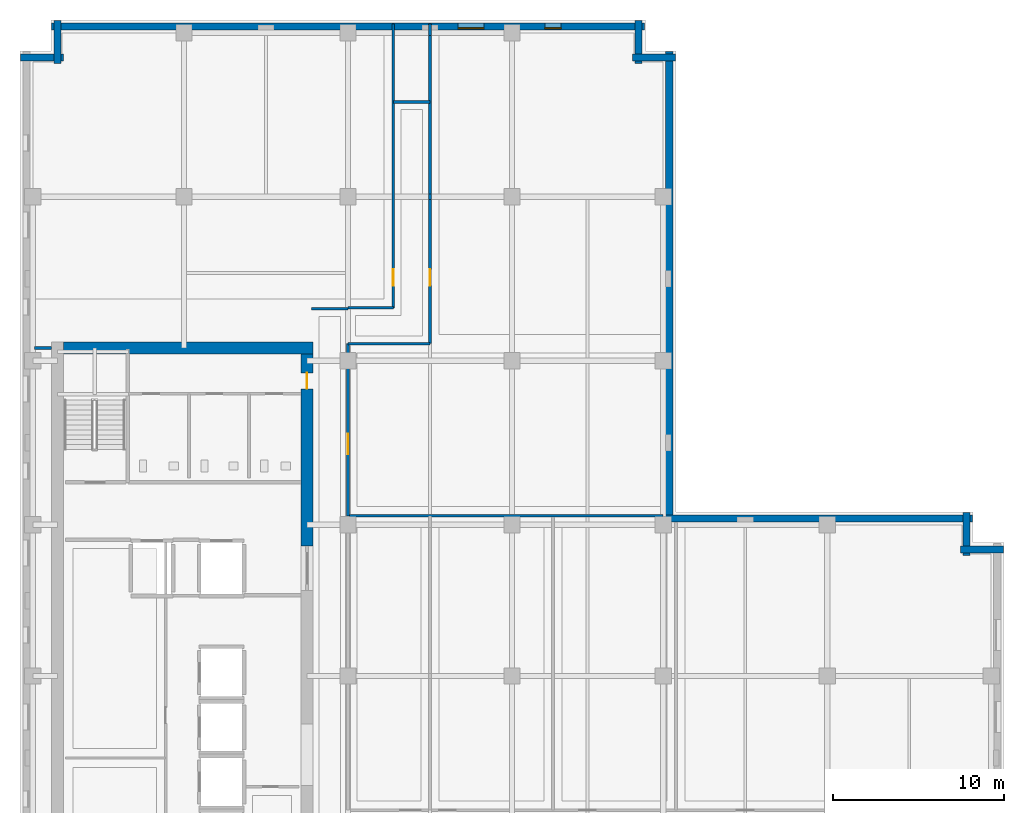
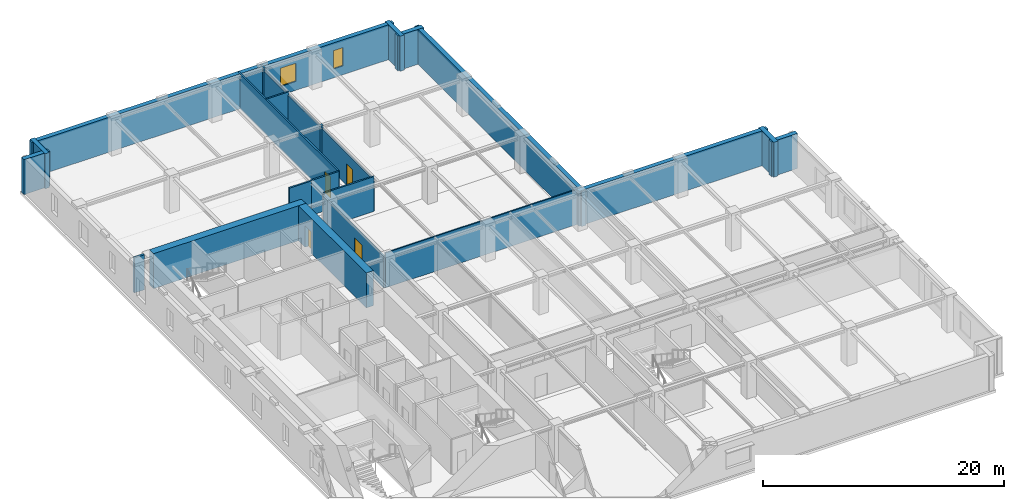
# One storey, part 7 of 13: 23 walls, 4 doors, 2 windows, 6 openings.
"""IFC4 building model written with IfcOpenShell, lengths in metres."""

from ifc_helpers import new_model, si_unit, direction, frame, frame_2d, origin, place, context, subcontext, project, spatial, rectangle, extrude, material, layer, layer_set, type_object, element, fill, save


model = new_model("IFC4")

# Units and contexts
model_context = context("Model", 3, precision=1e-05, world=origin(), true_north=direction((0.0, 1.0)))
body_context = subcontext(model_context, "Body", "Model", "MODEL_VIEW")
ifc_project = project(units=[si_unit("LENGTHUNIT", "METRE"), si_unit("AREAUNIT", "SQUARE_METRE"), si_unit("VOLUMEUNIT", "CUBIC_METRE"), si_unit("PLANEANGLEUNIT", "RADIAN"), si_unit("MASSUNIT", "GRAM", prefix="KILO")], contexts=[model_context])

# Site, building, storey
site_placement = place(None, origin())
site = spatial("IfcSite", under=ifc_project, at=site_placement, CompositionType="ELEMENT")
building_placement = place(site_placement, origin())
building = spatial("IfcBuilding", under=site, at=building_placement, Name="Norrvale University Quadrangle", CompositionType="ELEMENT")
storey_placement = place(building_placement, frame((0.0, 0.0, 175.0)))
storey = spatial("IfcBuildingStorey", under=building, at=storey_placement, Name="L44", CompositionType="ELEMENT", Elevation=175.0)

# Walls
ifc_material_1 = material(Name="Buff Norman Clay Brick Masonry", Category="masonry")
ifc_layer_1 = layer(ifc_material_1, 0.419921875, Name="Buff Norman Clay Brick Masonry")
ifc_layer_set_1 = layer_set([ifc_layer_1], Name="Buff Norman Clay Brick Masonry")
wall_type_1 = type_object("IfcWallType", Name="Wall Buff Brick 420", PredefinedType="SOLIDWALL", material=ifc_layer_set_1)
for number, where, z_axis, x_axis, name in (
    (1, (57.56005859375, 36.2099609375, 0.0), (0.0, 0.0, 1.0), (-1.0, 0.0, 0.0), "Exterior Brick Facade Wall L44-05.1"),
    (2, (55.409912109375, 35.860107421875, 0.0), (0.0, 0.0, 1.0), (0.0, 1.0, 0.0), "Exterior Brick Facade Wall L44-06.1"),
):
    element("IfcWall", number, at=place(storey_placement, frame(where, z_axis=z_axis, x_axis=x_axis)), inside=storey, type_object=wall_type_1, Name=name, PredefinedType="SOLIDWALL", context=body_context, shape_type="SweptSolid", body=[
        extrude(rectangle(XDim=2.5, YDim=0.419921875, at=frame_2d((1.25, 0.0))), origin(), (0.0, 0.0, 1.0), 3.5400390625),
    ])
wall_1_placement = place(storey_placement, frame((55.760009765625, 38.010009765625, 0.0), z_axis=(0.0, 0.0, 1.0), x_axis=(-1.0, 0.0, 0.0)))
element("IfcWall", 3, at=wall_1_placement, inside=storey, type_object=wall_type_1, Name="Exterior Brick Facade Wall L44-07.1", PredefinedType="SOLIDWALL", context=body_context, shape_type="SweptSolid", body=[
    extrude(rectangle(XDim=18.10009765625, YDim=0.419921875, at=frame_2d((9.050048828125, 0.0))), origin(), (0.0, 0.0, 1.0), 3.5400390625),
])
wall_2_placement = place(storey_placement, frame((38.010009765625, 37.659912109375, 0.0), z_axis=(0.0, 0.0, 1.0), x_axis=(0.0, 1.0, 0.0)))
element("IfcWall", 4, at=wall_2_placement, inside=storey, type_object=wall_type_1, Name="Exterior Brick Facade Wall L44-08.1", PredefinedType="SOLIDWALL", context=body_context, shape_type="SweptSolid", body=[
    extrude(rectangle(XDim=27.7001953125, YDim=0.419921875, at=frame_2d((13.85009765625, 0.0))), origin(), (0.0, 0.0, 1.0), 3.5400390625),
])
for number, where, z_axis, x_axis, name in (
    (5, (38.360107421875, 65.010009765625, 0.0), (0.0, 0.0, 1.0), (-1.0, 0.0, 0.0), "Exterior Brick Facade Wall L44-09.1"),
    (6, (36.2099609375, 64.659912109375, 0.0), (0.0, 0.0, 1.0), (0.0, 1.0, 0.0), "Exterior Brick Facade Wall L44-10.1"),
):
    element("IfcWall", number, at=place(storey_placement, frame(where, z_axis=z_axis, x_axis=x_axis)), inside=storey, type_object=wall_type_1, Name=name, PredefinedType="SOLIDWALL", context=body_context, shape_type="SweptSolid", body=[
        extrude(rectangle(XDim=2.5, YDim=0.419921875, at=frame_2d((1.25, 0.0))), origin(), (0.0, 0.0, 1.0), 3.5400390625),
    ])

# Wall, openings, windows
wall_3_placement = place(storey_placement, frame((36.56005859375, 66.81005859375, 0.0), z_axis=(0.0, 0.0, 1.0), x_axis=(-1.0, 0.0, 0.0)))
wall_3 = element("IfcWall", 7, at=wall_3_placement, inside=storey, type_object=wall_type_1, Name="Exterior Brick Facade Wall L44-11.1", PredefinedType="SOLIDWALL", context=body_context, shape_type="SweptSolid", body=[
    extrude(rectangle(XDim=34.719970703125, YDim=0.419921875, at=frame_2d((17.35986328125, 0.0))), origin(), (0.0, 0.0, 1.0), 3.5400390625),
])
opening_1_placement = place(wall_3_placement, frame((4.885009765625, 0.0, 0.89990234375)))
opening_1 = element("IfcOpeningElement", 8, at=opening_1_placement, cuts=wall_3, Name="Opening W04", PredefinedType="OPENING", context=body_context, shape_type="SweptSolid", body=[
    extrude(rectangle(XDim=0.949951171875, YDim=1.85009765625, at=frame_2d((0.47509765625, 0.925048828125))), frame((0.0, 0.221923828125, 0.0), z_axis=(0.0, -1.0, 0.0), x_axis=(1.0, 0.0, 0.0)), (0.0, 0.0, 1.0), 0.44384765625),
])
opening_2_placement = place(wall_3_placement, frame((9.409912109375, 0.0, 0.89990234375)))
opening_2 = element("IfcOpeningElement", 9, at=opening_2_placement, cuts=wall_3, Name="Opening W03", PredefinedType="OPENING", context=body_context, shape_type="SweptSolid", body=[
    extrude(rectangle(XDim=1.5, YDim=1.85009765625, at=frame_2d((0.75, 0.925048828125))), frame((0.0, 0.221923828125, 0.0), z_axis=(0.0, -1.0, 0.0), x_axis=(1.0, 0.0, 0.0)), (0.0, 0.0, 1.0), 0.44384765625),
])
ifc_material_2 = material(Name="Triple Low-E Argon Glazing", Category="glass")
window_type_1 = type_object("IfcWindowType", Name="Window Narrow Pier 950x2300", PartitioningType="SINGLE_PANEL", PredefinedType="WINDOW", material=ifc_material_2)
window_1_placement = place(opening_1_placement, origin())
window_1 = element("IfcWindow", 10, at=window_1_placement, inside=storey, type_object=window_type_1, Name="Window Narrow Pier 950x2300 WIN-L44-E11-1-01", OverallHeight=1.85009765625, OverallWidth=0.949951171875, PartitioningType="SINGLE_PANEL", PredefinedType="WINDOW", context=body_context, shape_type="SweptSolid", body=[
    extrude(rectangle(XDim=0.949951171875, YDim=1.85009765625, at=frame_2d((0.47509765625, 0.925048828125))), frame((0.0, 0.110107421875, 0.0), z_axis=(0.0, -1.0, 0.0), x_axis=(1.0, 0.0, 0.0)), (0.0, 0.0, 1.0), 0.06005859375),
])
fill(opening_1, window_1)
window_type_2 = type_object("IfcWindowType", Name="Window Studio 1500x2300", PartitioningType="DOUBLE_PANEL_VERTICAL", PredefinedType="WINDOW", material=ifc_material_2)
window_2_placement = place(opening_2_placement, origin())
window_2 = element("IfcWindow", 11, at=window_2_placement, inside=storey, type_object=window_type_2, Name="Window Studio 1500x2300 WIN-L44-E11-1-02", OverallHeight=1.85009765625, OverallWidth=1.5, PartitioningType="DOUBLE_PANEL_VERTICAL", PredefinedType="WINDOW", context=body_context, shape_type="SweptSolid", body=[
    extrude(rectangle(XDim=1.5, YDim=1.85009765625, at=frame_2d((0.75, 0.925048828125))), frame((0.0, 0.110107421875, 0.0), z_axis=(0.0, -1.0, 0.0), x_axis=(1.0, 0.0, 0.0)), (0.0, 0.0, 1.0), 0.06005859375),
])
fill(opening_2, window_2)

# Walls
for number, where, z_axis, x_axis, name in (
    (12, (2.18994140625, 67.159912109375, 0.0), (0.0, 0.0, 1.0), (0.0, -1.0, 0.0), "Exterior Brick Facade Wall L44-12.1"),
    (13, (2.5400390625, 65.010009765625, 0.0), (0.0, 0.0, 1.0), (-1.0, 0.0, 0.0), "Exterior Brick Facade Wall L44-13.1"),
):
    element("IfcWall", number, at=place(storey_placement, frame(where, z_axis=z_axis, x_axis=x_axis)), inside=storey, type_object=wall_type_1, Name=name, PredefinedType="SOLIDWALL", context=body_context, shape_type="SweptSolid", body=[
        extrude(rectangle(XDim=2.5, YDim=0.419921875, at=frame_2d((1.25, 0.0))), origin(), (0.0, 0.0, 1.0), 3.5400390625),
    ])
ifc_material_3 = material(Name="Concrete C60/75", Category="concrete")
ifc_layer_2 = layer(ifc_material_3, 0.699951171875, Name="Concrete C60/75")
ifc_layer_set_2 = layer_set([ifc_layer_2], Name="Concrete C60/75")
wall_type_2 = type_object("IfcWallType", Name="Wall Core 700", PredefinedType="SHEAR", material=ifc_layer_set_2)
wall_4_placement = place(storey_placement, frame((2.550048828125, 48.0, 0.0), z_axis=(0.0, 0.0, 1.0), x_axis=(1.0, 0.0, 0.0)))
element("IfcWall", 14, at=wall_4_placement, inside=storey, type_object=wall_type_2, Name="Tower Core Shear Wall L44-N", PredefinedType="SHEAR", context=body_context, shape_type="SweptSolid", body=[
    extrude(rectangle(XDim=14.599853515625, YDim=0.699951171875, at=frame_2d((7.2998046875, 0.0))), origin(), (0.0, 0.0, 1.0), 3.5400390625),
])

# Wall, opening, door
wall_5_placement = place(storey_placement, frame((16.800048828125, 36.39990234375, 0.0), z_axis=(0.0, 0.0, 1.0), x_axis=(0.0, 1.0, 0.0)))
wall_5 = element("IfcWall", 15, at=wall_5_placement, inside=storey, type_object=wall_type_2, Name="Tower Core Shear Wall L44-E3", PredefinedType="SHEAR", context=body_context, shape_type="SweptSolid", body=[
    extrude(rectangle(XDim=11.25, YDim=0.699951171875, at=frame_2d((5.625, 0.0))), origin(), (0.0, 0.0, 1.0), 3.5400390625),
])
opening_3_placement = place(wall_5_placement, frame((9.199951171875, 0.0, 0.0)))
opening_3 = element("IfcOpeningElement", 16, at=opening_3_placement, cuts=wall_5, Name="Opening D07", PredefinedType="OPENING", context=body_context, shape_type="SweptSolid", body=[
    extrude(rectangle(XDim=0.949951171875, YDim=2.14990234375, at=frame_2d((0.47509765625, 1.074951171875))), frame((0.0, 0.362060546875, 0.0), z_axis=(0.0, -1.0, 0.0), x_axis=(1.0, 0.0, 0.0)), (0.0, 0.0, 1.0), 0.723876953125),
])
ifc_material_4 = material(Name="Solid-Core Maple Door", Category="wood")
door_type_1 = type_object("IfcDoorType", Name="Door Office 950x2150", OperationType="NOTDEFINED", PredefinedType="DOOR", material=ifc_material_4)
door_1_placement = place(opening_3_placement, origin())
door_1 = element("IfcDoor", 17, at=door_1_placement, inside=storey, type_object=door_type_1, Name="Door Office 950x2150 DR-L44-NECORR", OperationType="SINGLE_SWING_LEFT", OverallHeight=2.14990234375, OverallWidth=0.949951171875, PredefinedType="DOOR", context=body_context, shape_type="SweptSolid", body=[
    extrude(rectangle(XDim=0.949951171875, YDim=2.14990234375, at=frame_2d((0.47509765625, 1.074951171875))), frame((0.0, 0.02490234375, 0.0), z_axis=(0.0, -1.0, 0.0), x_axis=(1.0, 0.0, 0.0)), (0.0, 0.0, 1.0), 0.050048828125),
])
fill(opening_3, door_1)

# Walls
ifc_material_5 = material(Name="Standard Academic Gypsum Partition")
ifc_layer_3 = layer(ifc_material_5, 0.125, Name="Standard Academic Gypsum Partition")
ifc_layer_set_3 = layer_set([ifc_layer_3], Name="Standard Academic Gypsum Partition")
wall_type_3 = type_object("IfcWallType", Name="Wall Gypsum Academic 125", PredefinedType="PARTITIONING", material=ifc_layer_set_3)
wall_6_placement = place(storey_placement, frame((19.280029296875, 38.179931640625, 0.0), z_axis=(0.0, 0.0, 1.0), x_axis=(1.0, 0.0, 0.0)))
element("IfcWall", 18, at=wall_6_placement, inside=storey, type_object=wall_type_3, Name="Interior Partition WL-L44-ME-N", PredefinedType="PARTITIONING", context=body_context, shape_type="SweptSolid", body=[
    extrude(rectangle(XDim=18.369873046875, YDim=0.125, at=frame_2d((9.18505859375, 0.0))), origin(), (0.0, 0.0, 1.0), 3.5400390625),
])
ifc_material_6 = material(Name="Fire-Rated Gypsum Stud Partition")
ifc_layer_4 = layer(ifc_material_6, 0.14990234375, Name="Fire-Rated Gypsum Stud Partition")
ifc_layer_set_4 = layer_set([ifc_layer_4], Name="Fire-Rated Gypsum Stud Partition")
wall_type_4 = type_object("IfcWallType", Name="Wall Gypsum Corridor 150", PredefinedType="PARTITIONING", material=ifc_layer_set_4)
wall_7_placement = place(storey_placement, frame((17.050048828125, 50.300048828125, 0.0), z_axis=(0.0, 0.0, 1.0), x_axis=(1.0, 0.0, 0.0)))
element("IfcWall", 19, at=wall_7_placement, inside=storey, type_object=wall_type_4, Name="Interior Partition WL-L44-CSP-N", PredefinedType="PARTITIONING", context=body_context, shape_type="SweptSolid", body=[
    extrude(rectangle(XDim=2.14990234375, YDim=0.14990234375, at=frame_2d((1.074951171875, 0.0))), origin(), (0.0, 0.0, 1.0), 3.5400390625),
])

# Wall, opening, door
wall_8_placement = place(storey_placement, frame((19.199951171875, 38.179931640625, 0.0), z_axis=(0.0, 0.0, 1.0), x_axis=(0.0, 1.0, 0.0)))
wall_8 = element("IfcWall", 20, at=wall_8_placement, inside=storey, type_object=wall_type_4, Name="Interior Partition WL-L44-MNECW", PredefinedType="PARTITIONING", context=body_context, shape_type="SweptSolid", body=[
    extrude(rectangle(XDim=10.070068359375, YDim=0.14990234375, at=frame_2d((5.03515625, 0.0))), origin(), (0.0, 0.0, 1.0), 3.23193359375),
])
opening_4_placement = place(wall_8_placement, frame((3.60009765625, 0.0, 0.0)))
opening_4 = element("IfcOpeningElement", 21, at=opening_4_placement, cuts=wall_8, Name="Opening D05", PredefinedType="OPENING", context=body_context, shape_type="SweptSolid", body=[
    extrude(rectangle(XDim=1.199951171875, YDim=2.199951171875, at=frame_2d((0.60009765625, 1.10009765625))), frame((0.0, 0.0869140625, 0.0), z_axis=(0.0, -1.0, 0.0), x_axis=(1.0, 0.0, 0.0)), (0.0, 0.0, 1.0), 0.173828125),
])
ifc_material_7 = material(Name="Acoustic Oak Classroom Door", Category="wood")
door_type_2 = type_object("IfcDoorType", Name="Door Classroom 1200x2200", OperationType="NOTDEFINED", PredefinedType="DOOR", material=ifc_material_7)
door_2_placement = place(opening_4_placement, origin())
door_2 = element("IfcDoor", 22, at=door_2_placement, inside=storey, type_object=door_type_2, Name="Door Classroom 1200x2200 DR-L44-MNE01", OperationType="SINGLE_SWING_RIGHT", OverallHeight=2.199951171875, OverallWidth=1.199951171875, PredefinedType="DOOR", context=body_context, shape_type="SweptSolid", body=[
    extrude(rectangle(XDim=1.199951171875, YDim=2.199951171875, at=frame_2d((0.60009765625, 1.10009765625))), frame((0.0, 0.02490234375, 0.0), z_axis=(0.0, -1.0, 0.0), x_axis=(1.0, 0.0, 0.0)), (0.0, 0.0, 1.0), 0.050048828125),
])
fill(opening_4, door_2)

# Walls
wall_9_placement = place(storey_placement, frame((19.199951171875, 48.25, 0.0), z_axis=(0.0, 0.0, 1.0), x_axis=(1.0, 0.0, 0.0)))
element("IfcWall", 23, at=wall_9_placement, inside=storey, type_object=wall_type_4, Name="Interior Partition WL-L44-JOGS", PredefinedType="PARTITIONING", context=body_context, shape_type="SweptSolid", body=[
    extrude(rectangle(XDim=4.800048828125, YDim=0.14990234375, at=frame_2d((2.39990234375, 0.0))), origin(), (0.0, 0.0, 1.0), 3.5400390625),
])
wall_10_placement = place(storey_placement, frame((19.199951171875, 50.35009765625, 0.0), z_axis=(0.0, 0.0, 1.0), x_axis=(1.0, 0.0, 0.0)))
element("IfcWall", 24, at=wall_10_placement, inside=storey, type_object=wall_type_4, Name="Interior Partition WL-L44-JOGN", PredefinedType="PARTITIONING", context=body_context, shape_type="SweptSolid", body=[
    extrude(rectangle(XDim=2.650146484375, YDim=0.14990234375, at=frame_2d((1.3251953125, 0.0))), origin(), (0.0, 0.0, 1.0), 3.5400390625),
])
wall_11_placement = place(storey_placement, frame((21.85009765625, 62.39990234375, 0.0), z_axis=(0.0, 0.0, 1.0), x_axis=(1.0, 0.0, 0.0)))
element("IfcWall", 25, at=wall_11_placement, inside=storey, type_object=wall_type_4, Name="Interior Partition WL-L44-JOGEND", PredefinedType="PARTITIONING", context=body_context, shape_type="SweptSolid", body=[
    extrude(rectangle(XDim=2.14990234375, YDim=0.14990234375, at=frame_2d((1.074951171875, 0.0))), origin(), (0.0, 0.0, 1.0), 3.5400390625),
])

# Wall, opening, door
wall_12_placement = place(storey_placement, frame((24.0, 48.25, 0.0), z_axis=(0.0, 0.0, 1.0), x_axis=(0.0, 1.0, 0.0)))
wall_12 = element("IfcWall", 26, at=wall_12_placement, inside=storey, type_object=wall_type_4, Name="Interior Partition WL-L44-NECW", PredefinedType="PARTITIONING", context=body_context, shape_type="SweptSolid", body=[
    extrude(rectangle(XDim=8.447509765625, YDim=0.14990234375, at=frame_2d((4.2236328125, 0.0))), origin(), (0.0, 0.0, 1.0), 3.222900390625),
])
opening_5_placement = place(wall_12_placement, frame((3.39990234375, 0.0, 0.0)))
opening_5 = element("IfcOpeningElement", 27, at=opening_5_placement, cuts=wall_12, Name="Opening D07", PredefinedType="OPENING", context=body_context, shape_type="SweptSolid", body=[
    extrude(rectangle(XDim=0.949951171875, YDim=2.14990234375, at=frame_2d((0.47509765625, 1.074951171875))), frame((0.0, 0.0869140625, 0.0), z_axis=(0.0, -1.0, 0.0), x_axis=(1.0, 0.0, 0.0)), (0.0, 0.0, 1.0), 0.173828125),
])
door_3_placement = place(opening_5_placement, origin())
door_3 = element("IfcDoor", 28, at=door_3_placement, inside=storey, type_object=door_type_1, Name="Door Office 950x2150 DR-L44-NE01", OperationType="SINGLE_SWING_RIGHT", OverallHeight=2.14990234375, OverallWidth=0.949951171875, PredefinedType="DOOR", context=body_context, shape_type="SweptSolid", body=[
    extrude(rectangle(XDim=0.949951171875, YDim=2.14990234375, at=frame_2d((0.47509765625, 1.074951171875))), frame((0.0, 0.02490234375, 0.0), z_axis=(0.0, -1.0, 0.0), x_axis=(1.0, 0.0, 0.0)), (0.0, 0.0, 1.0), 0.050048828125),
])
fill(opening_5, door_3)

# Walls
wall_13_placement = place(storey_placement, frame((24.0, 56.697509765625, 0.0), z_axis=(0.0, 0.0, 1.0), x_axis=(0.0, 1.0, 0.0)))
element("IfcWall", 29, at=wall_13_placement, inside=storey, type_object=wall_type_4, Name="Interior Partition WL-L44-NECW-B2", PredefinedType="PARTITIONING", context=body_context, shape_type="SweptSolid", body=[
    extrude(rectangle(XDim=0.304931640625, YDim=0.14990234375, at=frame_2d((0.15234375, 0.0))), origin(), (0.0, 0.0, 1.0), 3.5400390625),
])
wall_14_placement = place(storey_placement, frame((24.0, 57.00244140625, 0.0), z_axis=(0.0, 0.0, 1.0), x_axis=(0.0, 1.0, 0.0)))
element("IfcWall", 30, at=wall_14_placement, inside=storey, type_object=wall_type_4, Name="Interior Partition WL-L44-NECW-B3", PredefinedType="PARTITIONING", context=body_context, shape_type="SweptSolid", body=[
    extrude(rectangle(XDim=9.295166015625, YDim=0.14990234375, at=frame_2d((4.6474609375, 0.0))), origin(), (0.0, 0.0, 1.0), 3.222900390625),
])
wall_15_placement = place(storey_placement, frame((24.0, 66.297607421875, 0.0), z_axis=(0.0, 0.0, 1.0), x_axis=(0.0, 1.0, 0.0)))
element("IfcWall", 31, at=wall_15_placement, inside=storey, type_object=wall_type_4, Name="Interior Partition WL-L44-NECW-B4", PredefinedType="PARTITIONING", context=body_context, shape_type="SweptSolid", body=[
    extrude(rectangle(XDim=0.682373046875, YDim=0.14990234375, at=frame_2d((0.34130859375, 0.0))), origin(), (0.0, 0.0, 1.0), 3.5400390625),
])

# Wall, opening, door
wall_16_placement = place(storey_placement, frame((21.85009765625, 50.35009765625, 0.0), z_axis=(0.0, 0.0, 1.0), x_axis=(0.0, 1.0, 0.0)))
wall_16 = element("IfcWall", 32, at=wall_16_placement, inside=storey, type_object=wall_type_4, Name="Interior Partition WL-L44-NWCW", PredefinedType="PARTITIONING", context=body_context, shape_type="SweptSolid", body=[
    extrude(rectangle(XDim=16.6298828125, YDim=0.14990234375, at=frame_2d((8.31494140625, 0.0))), origin(), (0.0, 0.0, 1.0), 3.5400390625),
])
opening_6_placement = place(wall_16_placement, frame((1.300048828125, 0.0, 0.0)))
opening_6 = element("IfcOpeningElement", 33, at=opening_6_placement, cuts=wall_16, Name="Opening D07", PredefinedType="OPENING", context=body_context, shape_type="SweptSolid", body=[
    extrude(rectangle(XDim=0.949951171875, YDim=2.14990234375, at=frame_2d((0.47509765625, 1.074951171875))), frame((0.0, 0.0869140625, 0.0), z_axis=(0.0, -1.0, 0.0), x_axis=(1.0, 0.0, 0.0)), (0.0, 0.0, 1.0), 0.173828125),
])
door_4_placement = place(opening_6_placement, origin())
door_4 = element("IfcDoor", 34, at=door_4_placement, inside=storey, type_object=door_type_1, Name="Door Office 950x2150 DR-L44-NW01", OperationType="SINGLE_SWING_RIGHT", OverallHeight=2.14990234375, OverallWidth=0.949951171875, PredefinedType="DOOR", context=body_context, shape_type="SweptSolid", body=[
    extrude(rectangle(XDim=0.949951171875, YDim=2.14990234375, at=frame_2d((0.47509765625, 1.074951171875))), frame((0.0, 0.02490234375, 0.0), z_axis=(0.0, -1.0, 0.0), x_axis=(1.0, 0.0, 0.0)), (0.0, 0.0, 1.0), 0.050048828125),
])
fill(opening_6, door_4)

# Wall
ifc_material_8 = material(Name="Concrete Blockwork 20 MPa Rated Wall", Category="masonry")
ifc_layer_5 = layer(ifc_material_8, 0.199951171875, Name="Concrete Blockwork 20 MPa Rated Wall")
ifc_layer_set_5 = layer_set([ifc_layer_5], Name="Concrete Blockwork 20 MPa Rated Wall")
wall_type_5 = type_object("IfcWallType", Name="Wall Lobby 200", PredefinedType="SOLIDWALL", material=ifc_layer_set_5)
wall_17_placement = place(storey_placement, frame((0.85009765625, 48.0, 0.0), z_axis=(0.0, 0.0, 1.0), x_axis=(1.0, 0.0, 0.0)))
element("IfcWall", 35, at=wall_17_placement, inside=storey, type_object=wall_type_5, Name="Interior Partition WL-L44-CWRET-N", PredefinedType="SOLIDWALL", context=body_context, shape_type="SweptSolid", body=[
    extrude(rectangle(XDim=0.994873046875, YDim=0.199951171875, at=frame_2d((0.49755859375, 0.0))), origin(), (0.0, 0.0, 1.0), 3.5400390625),
])

save(model, "model.ifc")
